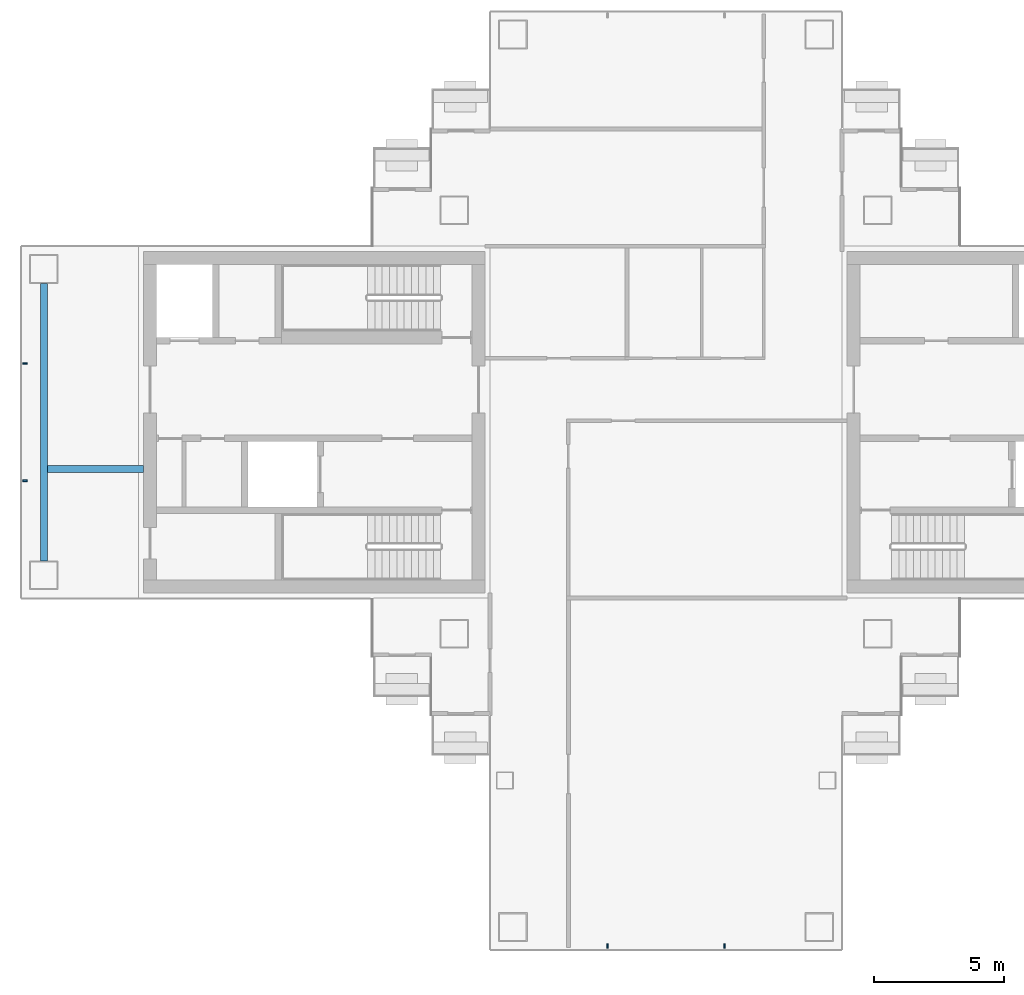
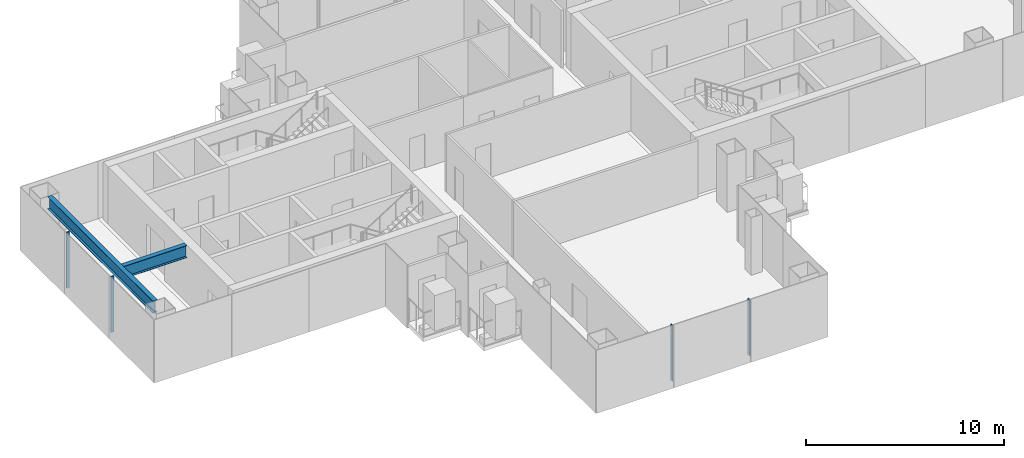
# One storey, part 3 of 16: 4 members, 2 beams, 2 elements without a shape of their own.
"""IFC4 building model written with IfcOpenShell, lengths in metres."""

from ifc_helpers import new_model, si_unit, direction, frame, origin, origin_2d, place, context, subcontext, project, spatial, rectangle, i_section, extrude, material, layer, layer_set, material_profile, profile_set, type_object, element, aggregate, save


model = new_model("IFC4")

# Units and contexts
model_context = context("Model", 3, precision=1e-05, world=origin(), true_north=direction((0.0, 1.0)))
body_context = subcontext(model_context, "Body", "Model", "MODEL_VIEW")
ifc_project = project(units=[si_unit("LENGTHUNIT", "METRE"), si_unit("AREAUNIT", "SQUARE_METRE"), si_unit("VOLUMEUNIT", "CUBIC_METRE"), si_unit("PLANEANGLEUNIT", "RADIAN"), si_unit("MASSUNIT", "GRAM", prefix="KILO")], contexts=[model_context])

# Site, building, storey
site_placement = place(None, origin())
site = spatial("IfcSite", under=ifc_project, at=site_placement, CompositionType="ELEMENT")
building_placement = place(site_placement, origin())
building = spatial("IfcBuilding", under=site, at=building_placement, Name="Shamsa Quay Exchange Towers", CompositionType="ELEMENT")
storey_placement = place(building_placement, frame((0.0, 0.0, 158.39990234375)))
storey = spatial("IfcBuildingStorey", under=building, at=storey_placement, Name="L37", CompositionType="ELEMENT", Elevation=158.39990234375)

# Curtain wall, members
ifc_material_1 = material(Name="Aluminium EN AW-6063 T6, black anodised", Category="aluminium")
ifc_layer = layer(ifc_material_1, 0.280029296875)
ifc_layer_set = layer_set([ifc_layer], Name="CW-1 UNITISED VISION GLASS")
curtain_wall_type = type_object("IfcCurtainWallType", Name="CW-1 UNITISED VISION GLASS", PredefinedType="NOTDEFINED", material=ifc_layer_set)
curtain_wall_1_placement = place(storey_placement, origin())
curtain_wall_1 = element("IfcCurtainWall", 1, at=curtain_wall_1_placement, inside=storey, type_object=curtain_wall_type, Name="CW1 T1-END-V- L37", PredefinedType="NOTDEFINED")
ifc_material_profile_1 = material_profile(ifc_material_1, rectangle(XDim=0.179931640625, YDim=0.06005859375, at=origin_2d()), Name="MU60x180")
ifc_profile_set_1 = profile_set([ifc_material_profile_1], Name="Aluminium EN AW-6063 T6, black anodised")
member_type = type_object("IfcMemberType", Name="CW1 MULLION 60x180", PredefinedType="MULLION", material=ifc_profile_set_1)
member_1_placement = place(storey_placement, frame((-36.0, -20.10009765625, 0.0), z_axis=(0.0, 0.0, 1.0), x_axis=(0.0, 1.0, 0.0)))
member_1 = element("IfcMember", 2, at=member_1_placement, type_object=member_type, Name="CW1 mullion", PredefinedType="MULLION", context=body_context, shape_type="SweptSolid", body=[
    extrude(rectangle(XDim=0.179931640625, YDim=0.06005859375, at=origin_2d()), origin(), (0.0, 0.0, 1.0), 3.4501953125),
])
member_2_placement = place(storey_placement, frame((-31.5, -20.10009765625, 0.0), z_axis=(0.0, 0.0, 1.0), x_axis=(0.0, 1.0, 0.0)))
member_2 = element("IfcMember", 3, at=member_2_placement, type_object=member_type, Name="CW1 mullion", PredefinedType="MULLION", context=body_context, shape_type="SweptSolid", body=[
    extrude(rectangle(XDim=0.179931640625, YDim=0.06005859375, at=origin_2d()), origin(), (0.0, 0.0, 1.0), 3.4501953125),
])
aggregate(curtain_wall_1, [member_1, member_2])

curtain_wall_2_placement = place(storey_placement, origin())
curtain_wall_2 = element("IfcCurtainWall", 4, at=curtain_wall_2_placement, inside=storey, type_object=curtain_wall_type, Name="CW1 T1-END-U- L37", PredefinedType="NOTDEFINED")
member_3_placement = place(storey_placement, frame((-58.35009765625, 2.25, 0.0)))
member_3 = element("IfcMember", 5, at=member_3_placement, type_object=member_type, Name="CW1 mullion", PredefinedType="MULLION", context=body_context, shape_type="SweptSolid", body=[
    extrude(rectangle(XDim=0.179931640625, YDim=0.06005859375, at=origin_2d()), origin(), (0.0, 0.0, 1.0), 3.4501953125),
])
member_4_placement = place(storey_placement, frame((-58.35009765625, -2.25, 0.0)))
member_4 = element("IfcMember", 6, at=member_4_placement, type_object=member_type, Name="CW1 mullion", PredefinedType="MULLION", context=body_context, shape_type="SweptSolid", body=[
    extrude(rectangle(XDim=0.179931640625, YDim=0.06005859375, at=origin_2d()), origin(), (0.0, 0.0, 1.0), 3.4501953125),
])
aggregate(curtain_wall_2, [member_3, member_4])

# Beams
ifc_material_2 = material(Name="Steel S355", Category="steel")
ifc_material_profile_2 = material_profile(ifc_material_2, i_section(OverallWidth=0.26611328125, OverallDepth=0.7578125, WebThickness=0.013916015625, FlangeThickness=0.019287109375, at=origin_2d()), Name="W30x108")
ifc_profile_set_2 = profile_set([ifc_material_profile_2], Name="Steel S355")
beam_type = type_object("IfcBeamType", Name="End-zone beam W30x108", PredefinedType="BEAM", material=ifc_profile_set_2)
beam_1_placement = place(storey_placement, frame((-57.625, -5.324951171875, 3.171142578125), z_axis=(0.0, 1.0, 0.0), x_axis=(-1.0, 0.0, 0.0)))
element("IfcBeam", 7, at=beam_1_placement, inside=storey, type_object=beam_type, Name="End beam T1 U- end zone L37", PredefinedType="BEAM", context=body_context, shape_type="SweptSolid", body=[
    extrude(i_section(OverallWidth=0.26611328125, OverallDepth=0.7578125, WebThickness=0.013916015625, FlangeThickness=0.019287109375, at=origin_2d()), origin(), (0.0, 0.0, 1.0), 10.64990234375),
])
beam_2_placement = place(storey_placement, frame((-53.800048828125, -1.800048828125, 3.171142578125), z_axis=(-1.0, 0.0, 0.0), x_axis=(0.0, -1.0, 0.0)))
element("IfcBeam", 8, at=beam_2_placement, inside=storey, type_object=beam_type, Name="Spine beam T1 U- end zone L37", PredefinedType="BEAM", context=body_context, shape_type="SweptSolid", body=[
    extrude(i_section(OverallWidth=0.26611328125, OverallDepth=0.7578125, WebThickness=0.013916015625, FlangeThickness=0.019287109375, at=origin_2d()), origin(), (0.0, 0.0, 1.0), 3.69189453125),
])

save(model, "model.ifc")
